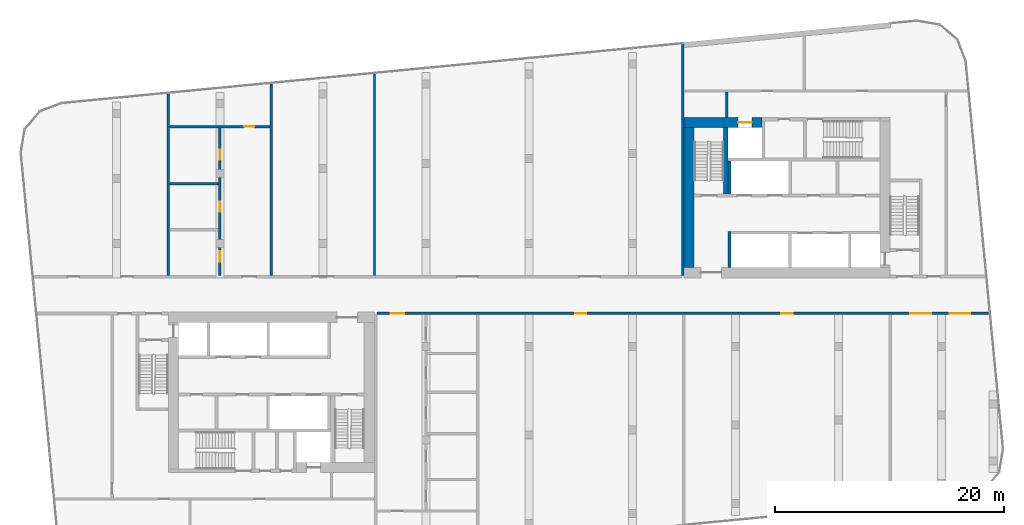
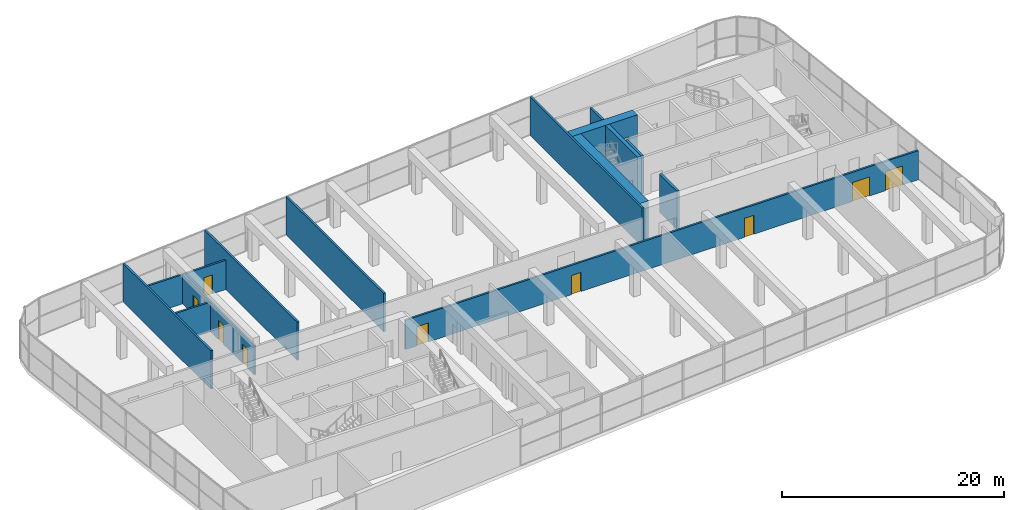
# One storey, part 15 of 21: 14 walls, 10 doors, 10 openings.
"""IFC4 building model written with IfcOpenShell, lengths in metres."""

from ifc_helpers import new_model, si_unit, direction, frame, frame_2d, origin, place, context, subcontext, project, spatial, rectangle, extrude, material, layer, layer_set, type_object, element, fill, save


model = new_model("IFC4")

# Units and contexts
model_context = context("Model", 3, precision=1e-05, world=origin(), true_north=direction((0.0, 1.0)))
body_context = subcontext(model_context, "Body", "Model", "MODEL_VIEW")
ifc_project = project(units=[si_unit("LENGTHUNIT", "METRE"), si_unit("AREAUNIT", "SQUARE_METRE"), si_unit("VOLUMEUNIT", "CUBIC_METRE"), si_unit("PLANEANGLEUNIT", "RADIAN"), si_unit("MASSUNIT", "GRAM", prefix="KILO")], contexts=[model_context])

# Site, building, storey
site_placement = place(None, origin())
site = spatial("IfcSite", under=ifc_project, at=site_placement, CompositionType="ELEMENT")
building_placement = place(site_placement, origin())
building = spatial("IfcBuilding", under=site, at=building_placement, Name="Kajstack Hotel Tower", CompositionType="ELEMENT")
storey_placement = place(building_placement, frame((0.0, 0.0, 162.39990234375)))
storey = spatial("IfcBuildingStorey", under=building, at=storey_placement, Name="L37", CompositionType="ELEMENT", Elevation=162.39990234375)

# Wall, opening, door
ifc_material_1 = material(Name="Concrete C60/75", Category="concrete")
ifc_layer_1 = layer(ifc_material_1, 0.89990234375)
ifc_layer_set_1 = layer_set([ifc_layer_1], Name="Core wall 900")
wall_type_1 = type_object("IfcWallType", Name="Core wall 900", PredefinedType="SHEAR", material=ifc_layer_set_1)
wall_1_placement = place(storey_placement, frame((13.5, 15.050048828125, 0.0), z_axis=(0.0, 0.0, 1.0), x_axis=(1.0, 0.0, 0.0)))
wall_1 = element("IfcWall", 1, at=wall_1_placement, inside=storey, type_object=wall_type_1, Name="Core wall E RS", PredefinedType="SHEAR", context=body_context, shape_type="SweptSolid", body=[
    extrude(rectangle(XDim=6.800048828125, YDim=0.89990234375, at=frame_2d((3.39990234375, 0.0))), origin(), (0.0, 0.0, 1.0), 4.22021484375),
])
opening_1_placement = place(wall_1_placement, frame((4.72509765625, 0.0, 0.0)))
opening_1 = element("IfcOpeningElement", 2, at=opening_1_placement, cuts=wall_1, Name="Opening LD-SV2", PredefinedType="OPENING", context=body_context, shape_type="SweptSolid", body=[
    extrude(rectangle(XDim=1.199951171875, YDim=2.10009765625, at=frame_2d((0.60009765625, 1.050048828125))), frame((0.0, 0.4599609375, 0.0), z_axis=(0.0, -1.0, 0.0), x_axis=(1.0, 0.0, 0.0)), (0.0, 0.0, 1.0), 0.919921875),
])
ifc_material_2 = material(Name="Stainless steel", Category="steel")
door_type_1 = type_object("IfcDoorType", Name="Lift landing door 1200", OperationType="SLIDING_TO_LEFT", PredefinedType="DOOR", material=ifc_material_2)
door_1_placement = place(opening_1_placement, origin())
door_1 = element("IfcDoor", 3, at=door_1_placement, inside=storey, type_object=door_type_1, Name="Landing door SV2", OperationType="SLIDING_TO_LEFT", OverallHeight=2.10009765625, OverallWidth=1.199951171875, PredefinedType="DOOR", context=body_context, shape_type="SweptSolid", body=[
    extrude(rectangle(XDim=1.199951171875, YDim=2.10009765625, at=frame_2d((0.60009765625, 1.050048828125))), frame((0.0, 0.02490234375, 0.0), z_axis=(0.0, -1.0, 0.0), x_axis=(1.0, 0.0, 0.0)), (0.0, 0.0, 1.0), 0.050048828125),
])
fill(opening_1, door_1)

# Walls
wall_2_placement = place(storey_placement, frame((13.949951171875, 2.39990234375, 0.0), z_axis=(0.0, 0.0, 1.0), x_axis=(0.0, 1.0, 0.0)))
element("IfcWall", 4, at=wall_2_placement, inside=storey, type_object=wall_type_1, Name="Core wall E RE", PredefinedType="SHEAR", context=body_context, shape_type="SweptSolid", body=[
    extrude(rectangle(XDim=12.2001953125, YDim=0.89990234375, at=frame_2d((6.10009765625, 0.0))), origin(), (0.0, 0.0, 1.0), 4.22021484375),
])
ifc_material_3 = material(Name="Gypsum board on steel studs, mineral wool", Category="steel")
ifc_layer_2 = layer(ifc_material_3, 0.199951171875)
ifc_layer_set_2 = layer_set([ifc_layer_2], Name="Public partition 200")
wall_type_2 = type_object("IfcWallType", Name="Public partition 200", PredefinedType="PARTITIONING", material=ifc_layer_set_2)
wall_3_placement = place(storey_placement, frame((-13.5, 1.699951171875, 0.0), z_axis=(0.0, 0.0, 1.0), x_axis=(0.0, 1.0, 0.0)))
element("IfcWall", 5, at=wall_3_placement, inside=storey, type_object=wall_type_2, Name="Partition PX0", PredefinedType="PARTITIONING", context=body_context, shape_type="SweptSolid", body=[
    extrude(rectangle(XDim=17.591064453125, YDim=0.199951171875, at=frame_2d((8.79541015625, 0.0))), origin(), (0.0, 0.0, 1.0), 4.22021484375),
])
wall_4_placement = place(storey_placement, frame((-22.5, 1.699951171875, 0.0), z_axis=(0.0, 0.0, 1.0), x_axis=(0.0, 1.0, 0.0)))
element("IfcWall", 6, at=wall_4_placement, inside=storey, type_object=wall_type_2, Name="Partition PX1", PredefinedType="PARTITIONING", context=body_context, shape_type="SweptSolid", body=[
    extrude(rectangle(XDim=16.724365234375, YDim=0.199951171875, at=frame_2d((8.3623046875, 0.0))), origin(), (0.0, 0.0, 1.0), 4.22021484375),
])

# Wall, openings, doors
wall_5_placement = place(storey_placement, frame((-27.0, 1.699951171875, 0.0), z_axis=(0.0, 0.0, 1.0), x_axis=(0.0, 1.0, 0.0)))
wall_5 = element("IfcWall", 7, at=wall_5_placement, inside=storey, type_object=wall_type_2, Name="Partition C2CW", PredefinedType="PARTITIONING", context=body_context, shape_type="SweptSolid", body=[
    extrude(rectangle(XDim=12.8896484375, YDim=0.199951171875, at=frame_2d((6.44482421875, 0.0))), origin(), (0.0, 0.0, 1.0), 3.22021484375),
])
opening_2_placement = place(wall_5_placement, frame((1.199951171875, 0.0, 0.0)))
opening_2 = element("IfcOpeningElement", 8, at=opening_2_placement, cuts=wall_5, Name="Opening 37P05", PredefinedType="OPENING", context=body_context, shape_type="SweptSolid", body=[
    extrude(rectangle(XDim=0.89990234375, YDim=2.10009765625, at=frame_2d((0.449951171875, 1.050048828125))), frame((0.0, 0.10986328125, 0.0), z_axis=(0.0, -1.0, 0.0), x_axis=(1.0, 0.0, 0.0)), (0.0, 0.0, 1.0), 0.219970703125),
])
opening_3_placement = place(wall_5_placement, frame((5.550048828125, 0.0, 0.0)))
opening_3 = element("IfcOpeningElement", 9, at=opening_3_placement, cuts=wall_5, Name="Opening 37P06", PredefinedType="OPENING", context=body_context, shape_type="SweptSolid", body=[
    extrude(rectangle(XDim=0.89990234375, YDim=2.10009765625, at=frame_2d((0.449951171875, 1.050048828125))), frame((0.0, 0.10986328125, 0.0), z_axis=(0.0, -1.0, 0.0), x_axis=(1.0, 0.0, 0.0)), (0.0, 0.0, 1.0), 0.219970703125),
])
opening_4_placement = place(wall_5_placement, frame((10.094970703125, 0.0, 0.0)))
opening_4 = element("IfcOpeningElement", 10, at=opening_4_placement, cuts=wall_5, Name="Opening 37P07", PredefinedType="OPENING", context=body_context, shape_type="SweptSolid", body=[
    extrude(rectangle(XDim=0.89990234375, YDim=2.10009765625, at=frame_2d((0.449951171875, 1.050048828125))), frame((0.0, 0.10986328125, 0.0), z_axis=(0.0, -1.0, 0.0), x_axis=(1.0, 0.0, 0.0)), (0.0, 0.0, 1.0), 0.219970703125),
])
ifc_material_4 = material(Name="Timber leaf", Category="wood")
door_type_2 = type_object("IfcDoorType", Name="Public room door 900", OperationType="SINGLE_SWING_LEFT", PredefinedType="DOOR", material=ifc_material_4)
door_2_placement = place(opening_2_placement, origin())
door_2 = element("IfcDoor", 11, at=door_2_placement, inside=storey, type_object=door_type_2, Name="Door 37P05", OperationType="SINGLE_SWING_LEFT", OverallHeight=2.10009765625, OverallWidth=0.89990234375, PredefinedType="DOOR", context=body_context, shape_type="SweptSolid", body=[
    extrude(rectangle(XDim=0.89990234375, YDim=2.10009765625, at=frame_2d((0.449951171875, 1.050048828125))), frame((0.0, 0.02490234375, 0.0), z_axis=(0.0, -1.0, 0.0), x_axis=(1.0, 0.0, 0.0)), (0.0, 0.0, 1.0), 0.050048828125),
])
fill(opening_2, door_2)
door_3_placement = place(opening_3_placement, origin())
door_3 = element("IfcDoor", 12, at=door_3_placement, inside=storey, type_object=door_type_2, Name="Door 37P06", OperationType="SINGLE_SWING_LEFT", OverallHeight=2.10009765625, OverallWidth=0.89990234375, PredefinedType="DOOR", context=body_context, shape_type="SweptSolid", body=[
    extrude(rectangle(XDim=0.89990234375, YDim=2.10009765625, at=frame_2d((0.449951171875, 1.050048828125))), frame((0.0, 0.02490234375, 0.0), z_axis=(0.0, -1.0, 0.0), x_axis=(1.0, 0.0, 0.0)), (0.0, 0.0, 1.0), 0.050048828125),
])
fill(opening_3, door_3)
door_4_placement = place(opening_4_placement, origin())
door_4 = element("IfcDoor", 13, at=door_4_placement, inside=storey, type_object=door_type_2, Name="Door 37P07", OperationType="SINGLE_SWING_LEFT", OverallHeight=2.10009765625, OverallWidth=0.89990234375, PredefinedType="DOOR", context=body_context, shape_type="SweptSolid", body=[
    extrude(rectangle(XDim=0.89990234375, YDim=2.10009765625, at=frame_2d((0.449951171875, 1.050048828125))), frame((0.0, 0.02490234375, 0.0), z_axis=(0.0, -1.0, 0.0), x_axis=(1.0, 0.0, 0.0)), (0.0, 0.0, 1.0), 0.050048828125),
])
fill(opening_4, door_4)

# Wall
wall_6_placement = place(storey_placement, frame((-31.39990234375, 9.699951171875, 0.0), z_axis=(0.0, 0.0, 1.0), x_axis=(1.0, 0.0, 0.0)))
element("IfcWall", 14, at=wall_6_placement, inside=storey, type_object=wall_type_2, Name="Partition C2wP1", PredefinedType="PARTITIONING", context=body_context, shape_type="SweptSolid", body=[
    extrude(rectangle(XDim=4.2998046875, YDim=0.199951171875, at=frame_2d((2.14990234375, 0.0))), origin(), (0.0, 0.0, 1.0), 3.22021484375),
])

# Wall, opening, door
wall_7_placement = place(storey_placement, frame((-31.39990234375, 14.689697265625, 0.0), z_axis=(0.0, 0.0, 1.0), x_axis=(1.0, 0.0, 0.0)))
wall_7 = element("IfcWall", 15, at=wall_7_placement, inside=storey, type_object=wall_type_2, Name="Partition C2BW", PredefinedType="PARTITIONING", context=body_context, shape_type="SweptSolid", body=[
    extrude(rectangle(XDim=8.7998046875, YDim=0.199951171875, at=frame_2d((4.39990234375, 0.0))), origin(), (0.0, 0.0, 1.0), 3.22021484375),
])
opening_5_placement = place(wall_7_placement, frame((6.52490234375, 0.0, 0.0)))
opening_5 = element("IfcOpeningElement", 16, at=opening_5_placement, cuts=wall_7, Name="Opening 37P08", PredefinedType="OPENING", context=body_context, shape_type="SweptSolid", body=[
    extrude(rectangle(XDim=0.89990234375, YDim=2.10009765625, at=frame_2d((0.449951171875, 1.050048828125))), frame((0.0, 0.10986328125, 0.0), z_axis=(0.0, -1.0, 0.0), x_axis=(1.0, 0.0, 0.0)), (0.0, 0.0, 1.0), 0.219970703125),
])
door_5_placement = place(opening_5_placement, origin())
door_5 = element("IfcDoor", 17, at=door_5_placement, inside=storey, type_object=door_type_2, Name="Door 37P08", OperationType="SINGLE_SWING_LEFT", OverallHeight=2.10009765625, OverallWidth=0.89990234375, PredefinedType="DOOR", context=body_context, shape_type="SweptSolid", body=[
    extrude(rectangle(XDim=0.89990234375, YDim=2.10009765625, at=frame_2d((0.449951171875, 1.050048828125))), frame((0.0, 0.02490234375, 0.0), z_axis=(0.0, -1.0, 0.0), x_axis=(1.0, 0.0, 0.0)), (0.0, 0.0, 1.0), 0.050048828125),
])
fill(opening_5, door_5)

# Walls
wall_8_placement = place(storey_placement, frame((-31.5, 1.699951171875, 0.0), z_axis=(0.0, 0.0, 1.0), x_axis=(0.0, 1.0, 0.0)))
element("IfcWall", 18, at=wall_8_placement, inside=storey, type_object=wall_type_2, Name="Partition PX2", PredefinedType="PARTITIONING", context=body_context, shape_type="SweptSolid", body=[
    extrude(rectangle(XDim=15.85791015625, YDim=0.199951171875, at=frame_2d((7.928955078125, 0.0))), origin(), (0.0, 0.0, 1.0), 4.22021484375),
])
wall_9_placement = place(storey_placement, frame((13.39990234375, 1.699951171875, 0.0), z_axis=(0.0, 0.0, 1.0), x_axis=(0.0, 1.0, 0.0)))
element("IfcWall", 19, at=wall_9_placement, inside=storey, type_object=wall_type_2, Name="Partition EW", PredefinedType="PARTITIONING", context=body_context, shape_type="SweptSolid", body=[
    extrude(rectangle(XDim=20.18115234375, YDim=0.199951171875, at=frame_2d((10.090576171875, 0.0))), origin(), (0.0, 0.0, 1.0), 4.22021484375),
])

# Wall, openings, doors
wall_10_placement = place(storey_placement, frame((-13.300048828125, -1.60009765625, 0.0), z_axis=(0.0, 0.0, 1.0), x_axis=(1.0, 0.0, 0.0)))
wall_10 = element("IfcWall", 20, at=wall_10_placement, inside=storey, type_object=wall_type_2, Name="Partition SFW", PredefinedType="PARTITIONING", context=body_context, shape_type="SweptSolid", body=[
    extrude(rectangle(XDim=53.447265625, YDim=0.199951171875, at=frame_2d((26.7236328125, 0.0))), origin(), (0.0, 0.0, 1.0), 3.22021484375),
])
opening_6_placement = place(wall_10_placement, frame((1.199951171875, 0.0, 0.0)))
opening_6 = element("IfcOpeningElement", 21, at=opening_6_placement, cuts=wall_10, Name="Opening 37P11", PredefinedType="OPENING", context=body_context, shape_type="SweptSolid", body=[
    extrude(rectangle(XDim=1.199951171875, YDim=2.10009765625, at=frame_2d((0.60009765625, 1.050048828125))), frame((0.0, 0.10986328125, 0.0), z_axis=(0.0, -1.0, 0.0), x_axis=(1.0, 0.0, 0.0)), (0.0, 0.0, 1.0), 0.219970703125),
])
opening_7_placement = place(wall_10_placement, frame((17.300048828125, 0.0, 0.0)))
opening_7 = element("IfcOpeningElement", 22, at=opening_7_placement, cuts=wall_10, Name="Opening 37P18", PredefinedType="OPENING", context=body_context, shape_type="SweptSolid", body=[
    extrude(rectangle(XDim=1.0, YDim=2.10009765625, at=frame_2d((0.5, 1.050048828125))), frame((0.0, 0.10986328125, 0.0), z_axis=(0.0, -1.0, 0.0), x_axis=(1.0, 0.0, 0.0)), (0.0, 0.0, 1.0), 0.219970703125),
])
opening_8_placement = place(wall_10_placement, frame((35.300048828125, 0.0, 0.0)))
opening_8 = element("IfcOpeningElement", 23, at=opening_8_placement, cuts=wall_10, Name="Opening 37P19", PredefinedType="OPENING", context=body_context, shape_type="SweptSolid", body=[
    extrude(rectangle(XDim=1.0, YDim=2.10009765625, at=frame_2d((0.5, 1.050048828125))), frame((0.0, 0.10986328125, 0.0), z_axis=(0.0, -1.0, 0.0), x_axis=(1.0, 0.0, 0.0)), (0.0, 0.0, 1.0), 0.219970703125),
])
opening_9_placement = place(wall_10_placement, frame((46.572021484375, 0.0, 0.0)))
opening_9 = element("IfcOpeningElement", 24, at=opening_9_placement, cuts=wall_10, Name="Opening 37P20", PredefinedType="OPENING", context=body_context, shape_type="SweptSolid", body=[
    extrude(rectangle(XDim=1.800048828125, YDim=2.10009765625, at=frame_2d((0.89990234375, 1.050048828125))), frame((0.0, 0.10986328125, 0.0), z_axis=(0.0, -1.0, 0.0), x_axis=(1.0, 0.0, 0.0)), (0.0, 0.0, 1.0), 0.219970703125),
])
opening_10_placement = place(wall_10_placement, frame((50.0009765625, 0.0, 0.0)))
opening_10 = element("IfcOpeningElement", 25, at=opening_10_placement, cuts=wall_10, Name="Opening 37P21", PredefinedType="OPENING", context=body_context, shape_type="SweptSolid", body=[
    extrude(rectangle(XDim=1.800048828125, YDim=2.10009765625, at=frame_2d((0.89990234375, 1.050048828125))), frame((0.0, 0.10986328125, 0.0), z_axis=(0.0, -1.0, 0.0), x_axis=(1.0, 0.0, 0.0)), (0.0, 0.0, 1.0), 0.219970703125),
])
ifc_material_5 = material(Name="Timber leaf, fire-rated", Category="wood")
door_type_3 = type_object("IfcDoorType", Name="Public corridor door 1200", OperationType="SINGLE_SWING_LEFT", PredefinedType="DOOR", material=ifc_material_5)
door_6_placement = place(opening_6_placement, origin())
door_6 = element("IfcDoor", 26, at=door_6_placement, inside=storey, type_object=door_type_3, Name="Door 37P11", OperationType="SINGLE_SWING_RIGHT", OverallHeight=2.10009765625, OverallWidth=1.199951171875, PredefinedType="DOOR", context=body_context, shape_type="SweptSolid", body=[
    extrude(rectangle(XDim=1.199951171875, YDim=2.10009765625, at=frame_2d((0.60009765625, 1.050048828125))), frame((0.0, 0.02490234375, 0.0), z_axis=(0.0, -1.0, 0.0), x_axis=(1.0, 0.0, 0.0)), (0.0, 0.0, 1.0), 0.050048828125),
])
fill(opening_6, door_6)
ifc_material_6 = material(Name="Glazed timber frame, fire-rated glass", Category="wood")
door_type_4 = type_object("IfcDoorType", Name="Public double door 1800", OperationType="DOUBLE_DOOR_DOUBLE_SWING", PredefinedType="DOOR", material=ifc_material_6)
door_7_placement = place(opening_9_placement, origin())
door_7 = element("IfcDoor", 27, at=door_7_placement, inside=storey, type_object=door_type_4, Name="Door 37P20", OperationType="DOUBLE_DOOR_DOUBLE_SWING", OverallHeight=2.10009765625, OverallWidth=1.800048828125, PredefinedType="DOOR", context=body_context, shape_type="SweptSolid", body=[
    extrude(rectangle(XDim=1.800048828125, YDim=2.10009765625, at=frame_2d((0.89990234375, 1.050048828125))), frame((0.0, 0.02490234375, 0.0), z_axis=(0.0, -1.0, 0.0), x_axis=(1.0, 0.0, 0.0)), (0.0, 0.0, 1.0), 0.050048828125),
])
fill(opening_9, door_7)
door_8_placement = place(opening_10_placement, origin())
door_8 = element("IfcDoor", 28, at=door_8_placement, inside=storey, type_object=door_type_4, Name="Door 37P21", OperationType="DOUBLE_DOOR_DOUBLE_SWING", OverallHeight=2.10009765625, OverallWidth=1.800048828125, PredefinedType="DOOR", context=body_context, shape_type="SweptSolid", body=[
    extrude(rectangle(XDim=1.800048828125, YDim=2.10009765625, at=frame_2d((0.89990234375, 1.050048828125))), frame((0.0, 0.02490234375, 0.0), z_axis=(0.0, -1.0, 0.0), x_axis=(1.0, 0.0, 0.0)), (0.0, 0.0, 1.0), 0.050048828125),
])
fill(opening_10, door_8)
door_type_5 = type_object("IfcDoorType", Name="Public room door 1000", OperationType="SINGLE_SWING_LEFT", PredefinedType="DOOR", material=ifc_material_4)
door_9_placement = place(opening_7_placement, origin())
door_9 = element("IfcDoor", 29, at=door_9_placement, inside=storey, type_object=door_type_5, Name="Door 37P18", OperationType="SINGLE_SWING_RIGHT", OverallHeight=2.10009765625, OverallWidth=1.0, PredefinedType="DOOR", context=body_context, shape_type="SweptSolid", body=[
    extrude(rectangle(XDim=1.0, YDim=2.10009765625, at=frame_2d((0.5, 1.050048828125))), frame((0.0, 0.02490234375, 0.0), z_axis=(0.0, -1.0, 0.0), x_axis=(1.0, 0.0, 0.0)), (0.0, 0.0, 1.0), 0.050048828125),
])
fill(opening_7, door_9)
door_10_placement = place(opening_8_placement, origin())
door_10 = element("IfcDoor", 30, at=door_10_placement, inside=storey, type_object=door_type_5, Name="Door 37P19", OperationType="SINGLE_SWING_RIGHT", OverallHeight=2.10009765625, OverallWidth=1.0, PredefinedType="DOOR", context=body_context, shape_type="SweptSolid", body=[
    extrude(rectangle(XDim=1.0, YDim=2.10009765625, at=frame_2d((0.5, 1.050048828125))), frame((0.0, 0.02490234375, 0.0), z_axis=(0.0, -1.0, 0.0), x_axis=(1.0, 0.0, 0.0)), (0.0, 0.0, 1.0), 0.050048828125),
])
fill(opening_8, door_10)

# Walls
ifc_layer_3 = layer(ifc_material_3, 0.199951171875)
ifc_layer_set_3 = layer_set([ifc_layer_3], Name="Service partition 200")
wall_type_3 = type_object("IfcWallType", Name="Service partition 200", PredefinedType="PARTITIONING", material=ifc_layer_set_3)
wall_11_placement = place(storey_placement, frame((17.25, 15.5, 0.0), z_axis=(0.0, 0.0, 1.0), x_axis=(0.0, 1.0, 0.0)))
element("IfcWall", 31, at=wall_11_placement, inside=storey, type_object=wall_type_3, Name="Partition E SCE", PredefinedType="PARTITIONING", context=body_context, shape_type="SweptSolid", body=[
    extrude(rectangle(XDim=2.199951171875, YDim=0.199951171875, at=frame_2d((1.10009765625, 0.0))), origin(), (0.0, 0.0, 1.0), 4.22021484375),
])
ifc_material_7 = material(Name="Concrete C50/60", Category="concrete")
ifc_layer_4 = layer(ifc_material_7, 0.25)
ifc_layer_set_4 = layer_set([ifc_layer_4], Name="Shaft wall 250")
wall_type_4 = type_object("IfcWallType", Name="Shaft wall 250", PredefinedType="SHEAR", material=ifc_layer_set_4)
wall_12_placement = place(storey_placement, frame((17.47509765625, 2.39990234375, 0.0), z_axis=(0.0, 0.0, 1.0), x_axis=(0.0, 1.0, 0.0)))
element("IfcWall", 32, at=wall_12_placement, inside=storey, type_object=wall_type_4, Name="Core wall E AE", PredefinedType="SHEAR", context=body_context, shape_type="SweptSolid", body=[
    extrude(rectangle(XDim=3.150146484375, YDim=0.25, at=frame_2d((1.5751953125, 0.0))), origin(), (0.0, 0.0, 1.0), 4.22021484375),
])
wall_13_placement = place(storey_placement, frame((17.47509765625, 8.800048828125, 0.0), z_axis=(0.0, 0.0, 1.0), x_axis=(0.0, 1.0, 0.0)))
element("IfcWall", 33, at=wall_13_placement, inside=storey, type_object=wall_type_4, Name="Core wall E BE", PredefinedType="SHEAR", context=body_context, shape_type="SweptSolid", body=[
    extrude(rectangle(XDim=2.89990234375, YDim=0.25, at=frame_2d((1.449951171875, 0.0))), origin(), (0.0, 0.0, 1.0), 4.22021484375),
])
ifc_layer_5 = layer(ifc_material_7, 0.39990234375)
ifc_layer_set_5 = layer_set([ifc_layer_5], Name="Stair wall 400")
wall_type_5 = type_object("IfcWallType", Name="Stair wall 400", PredefinedType="SHEAR", material=ifc_layer_set_5)
wall_14_placement = place(storey_placement, frame((17.14990234375, 8.800048828125, 0.0), z_axis=(0.0, 0.0, 1.0), x_axis=(0.0, 1.0, 0.0)))
element("IfcWall", 34, at=wall_14_placement, inside=storey, type_object=wall_type_5, Name="Core wall E WW2", PredefinedType="SHEAR", context=body_context, shape_type="SweptSolid", body=[
    extrude(rectangle(XDim=5.800048828125, YDim=0.39990234375, at=frame_2d((2.89990234375, 0.0))), origin(), (0.0, 0.0, 1.0), 4.22021484375),
])

save(model, "model.ifc")
